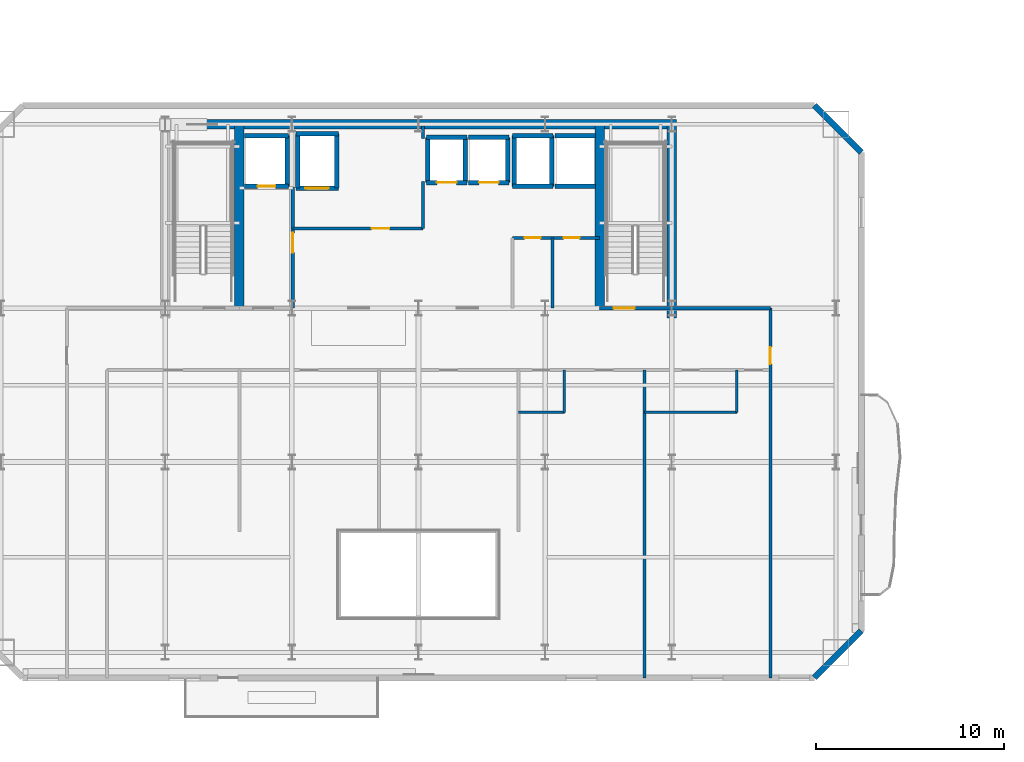
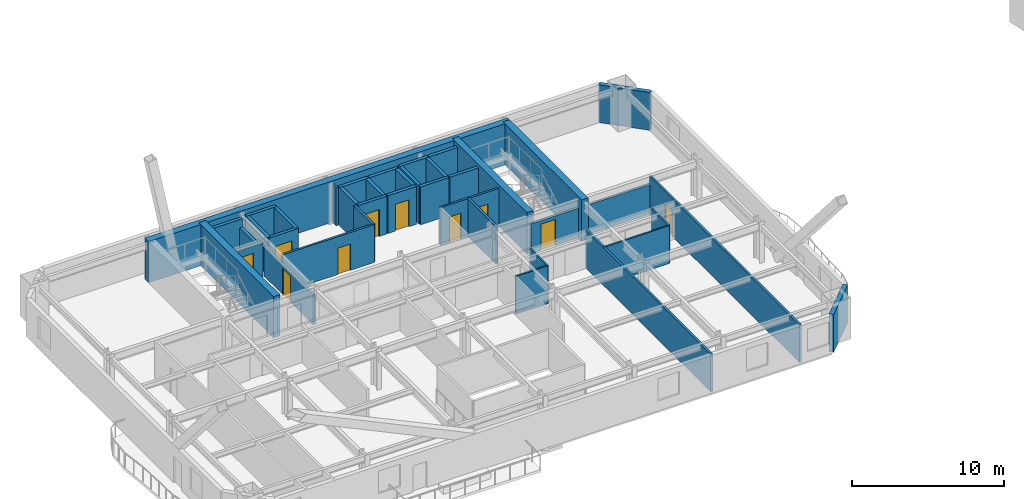
# One storey, part 6 of 15: 40 walls, 10 doors, 10 openings.
"""IFC4 building model written with IfcOpenShell, lengths in metres."""

import ifcopenshell
import ifcopenshell.guid

model = None  # the IFC model being written
_history = None  # IfcOwnerHistory: only IFC2X3 demands one
_inside = {}  # id of a spatial element -> (the spatial element, [elements in it])
_under = {}  # id of a project, library or spatial element -> (it, [spatial elements below it])
_declared = {}  # id of a project -> (the project, [libraries it declares])
_typed = {}  # id of a type object -> (the type object, [elements of that type])
_made_of = {}  # id of a material, layer set ... -> (it, [elements and type objects made of it])


def new_model(schema):
    """Start an empty IFC model of exactly this schema.

    Asked for "IFC4X3", IfcOpenShell would pick the latest addendum, in which some entities
    have other attributes; the version numbers below select the first issue.
    IFC2X3 requires an IfcOwnerHistory on every rooted entity: one is made here for all.
    """
    global model, _history
    if schema == "IFC4X3":
        model = ifcopenshell.file(schema_version=(4, 3, 0, 0))
    else:
        model = ifcopenshell.file(schema=schema)
    _inside.clear()
    _under.clear()
    _declared.clear()
    _typed.clear()
    _made_of.clear()
    _history = None
    if model.schema == "IFC2X3":
        org = make("IfcOrganization", Name="unknown")
        user = make(
            "IfcPersonAndOrganization",
            ThePerson=make("IfcPerson", FamilyName="unknown"),
            TheOrganization=org,
        )
        app = make(
            "IfcApplication",
            ApplicationDeveloper=org,
            Version="unknown",
            ApplicationFullName="unknown",
            ApplicationIdentifier="unknown",
        )
        _history = make(
            "IfcOwnerHistory",
            OwningUser=user,
            OwningApplication=app,
            ChangeAction="ADDED",
            CreationDate=0,
        )
    return model


def make(cls, **values):
    """One entity of the class cls with the attributes given. An attribute that is None is left unset."""
    return model.create_entity(
        cls, **{name: value for name, value in values.items() if value is not None}
    )


def rooted(cls, **values):
    """An entity with a GlobalId (a new one), such as an element, a storey or a relation."""
    return make(cls, GlobalId=ifcopenshell.guid.new(), OwnerHistory=_history, **values)


def si_unit(unit_type, name, prefix=None):
    """IfcSIUnit, for example si_unit("LENGTHUNIT", "METRE", prefix="MILLI")."""
    return make("IfcSIUnit", UnitType=unit_type, Prefix=prefix, Name=name)


def assignment(units):
    """IfcUnitAssignment: the units of a project."""
    return None if units is None else make("IfcUnitAssignment", Units=units)


def point(xyz):
    """IfcCartesianPoint."""
    return None if xyz is None else make("IfcCartesianPoint", Coordinates=xyz)


def direction(xyz):
    """IfcDirection."""
    return None if xyz is None else make("IfcDirection", DirectionRatios=xyz)


def frame(location, z_axis=None, x_axis=None):
    """IfcAxis2Placement3D, a coordinate frame: its origin and axes. An axis left out is left unset."""
    return make(
        "IfcAxis2Placement3D",
        Location=point(location),
        Axis=direction(z_axis),
        RefDirection=direction(x_axis),
    )


def frame_2d(location, x_axis=None):
    """IfcAxis2Placement2D, a coordinate frame in the plane: its origin and x axis."""
    return make(
        "IfcAxis2Placement2D", Location=point(location), RefDirection=direction(x_axis)
    )


def origin():
    """The frame at (0, 0, 0) with its axes left unset."""
    return frame((0.0, 0.0, 0.0))


def place(relative_to, where):
    """IfcLocalPlacement: puts the frame where relative to a parent placement (None: the world)."""
    return make(
        "IfcLocalPlacement", PlacementRelTo=relative_to, RelativePlacement=where
    )


def context(
    kind, dimensions, precision=None, world=None, true_north=None, identifier=None
):
    """IfcGeometricRepresentationContext, for example the 3D "Model" context."""
    return make(
        "IfcGeometricRepresentationContext",
        ContextIdentifier=identifier,
        ContextType=kind,
        CoordinateSpaceDimension=dimensions,
        Precision=precision,
        WorldCoordinateSystem=world,
        TrueNorth=true_north,
    )


def subcontext(parent, identifier, kind, view, scale=None):
    """IfcGeometricRepresentationSubContext, for example "Body" below "Model"."""
    return make(
        "IfcGeometricRepresentationSubContext",
        ContextIdentifier=identifier,
        ContextType=kind,
        ParentContext=parent,
        TargetScale=scale,
        TargetView=view,
    )


def project(units=None, contexts=None):
    """IfcProject with its units and contexts."""
    return rooted(
        "IfcProject",
        Name="project",
        RepresentationContexts=contexts,
        UnitsInContext=assignment(units),
    )


def spatial(cls, under=None, at=None, **own):
    """A site, building, storey or space (cls), placed at a placement, below another one or the project."""
    s = rooted(cls, ObjectPlacement=at, **own)
    if under is not None:
        _under.setdefault(under.id(), (under, []))[1].append(s)
    return s


def profile(cls, at=None, kind="AREA", **sizes):
    """A parametric profile (cls). Its sizes go by their IFC names, for example OverallWidth=200.0."""
    return make(cls, ProfileType=kind, Position=at, **sizes)


def rectangle(**sizes):
    """IfcRectangleProfileDef."""
    return profile("IfcRectangleProfileDef", **sizes)


def extrude(swept, where, along, depth):
    """IfcExtrudedAreaSolid: the profile swept, set in the frame where, extruded along a direction by depth."""
    return make(
        "IfcExtrudedAreaSolid",
        SweptArea=swept,
        Position=where,
        ExtrudedDirection=direction(along),
        Depth=depth,
    )


def shape(context_of_items, identifier, shape_type, items):
    """IfcShapeRepresentation: the items that make up one representation, for example the "Body"."""
    return make(
        "IfcShapeRepresentation",
        ContextOfItems=context_of_items,
        RepresentationIdentifier=identifier,
        RepresentationType=shape_type,
        Items=items,
    )


def material(Name=None, Category=None):
    """IfcMaterial."""
    return make("IfcMaterial", Name=Name, Category=Category)


def layer(
    of_material, thickness, ventilated=None, Name=None, Category=None, Priority=None
):
    """IfcMaterialLayer: one layer of a wall or slab, of a material (None: an air gap)."""
    return make(
        "IfcMaterialLayer",
        Material=of_material,
        LayerThickness=thickness,
        IsVentilated=ventilated,
        Name=Name,
        Category=Category,
        Priority=Priority,
    )


def layer_set(layers, Name=None):
    """IfcMaterialLayerSet."""
    return make("IfcMaterialLayerSet", MaterialLayers=layers, LayerSetName=Name)


def made_of(thing, what):
    """Note that an element or type object is made of a material, layer set ...; save() writes the relation."""
    if what is not None:
        _made_of.setdefault(what.id(), (what, []))[1].append(thing)
    return thing


def type_object(cls, material=None, **own):
    """A type object (cls), such as IfcWallType, which elements share."""
    return made_of(rooted(cls, **own), material)


def element(
    cls,
    number,
    at=None,
    inside=None,
    cuts=None,
    type_object=None,
    material=None,
    context=None,
    identifier="Body",
    shape_type=None,
    held_by="IfcProductDefinitionShape",
    body=None,
    shapes=None,
    **own,
):
    """One element of the class cls, such as IfcWall. Its Tag is "e" and its number.

    at: its placement. inside: the storey or other place that contains it. cuts: it is an
    opening in that element (IfcRelVoidsElement). A single representation is given by context,
    identifier, shape_type and body (its items); several are given by shapes. held_by: the class
    of the entity that holds the representations. save() writes the other relations.
    """
    e = rooted(cls, Tag="e%d" % number, ObjectPlacement=at, **own)
    if body is not None:
        shapes = [shape(context, identifier, shape_type, body)]
    if shapes is not None:
        e.Representation = make(held_by, Representations=shapes)
    if inside is not None:
        _inside.setdefault(inside.id(), (inside, []))[1].append(e)
    if cuts is not None:
        rooted(
            "IfcRelVoidsElement", RelatingBuildingElement=cuts, RelatedOpeningElement=e
        )
    if type_object is not None:
        _typed.setdefault(type_object.id(), (type_object, []))[1].append(e)
    return made_of(e, material)


def fill(opening, filler):
    """IfcRelFillsElement: the door or window that sits in an opening."""
    return rooted(
        "IfcRelFillsElement",
        RelatingOpeningElement=opening,
        RelatedBuildingElement=filler,
    )


def aggregate(whole, parts):
    """IfcRelAggregates: a whole, such as a stair, and the parts it consists of."""
    return rooted("IfcRelAggregates", RelatingObject=whole, RelatedObjects=parts)


def save(model, path):
    """Write the relations noted so far, then the file.

    IfcRelAggregates (storeys below a building ...), IfcRelContainedInSpatialStructure (elements
    in a storey), IfcRelDefinesByType, IfcRelAssociatesMaterial and IfcRelDeclares: one each for
    every whole, place, type object, material and project.
    """
    for whole, parts in _under.values():
        aggregate(whole, parts)
    for where, things in _inside.values():
        rooted(
            "IfcRelContainedInSpatialStructure",
            RelatedElements=things,
            RelatingStructure=where,
        )
    for kind, things in _typed.values():
        rooted("IfcRelDefinesByType", RelatedObjects=things, RelatingType=kind)
    for what, things in _made_of.values():
        rooted("IfcRelAssociatesMaterial", RelatedObjects=things, RelatingMaterial=what)
    for by, libraries in _declared.values():
        rooted("IfcRelDeclares", RelatingContext=by, RelatedDefinitions=libraries)
    model.write(path)


model = new_model("IFC4")

# Units and contexts
model_context = context("Model", 3, precision=1e-05, world=origin(), true_north=direction((0.0, 1.0)))
body_context = subcontext(model_context, "Body", "Model", "MODEL_VIEW")
ifc_project = project(units=[si_unit("LENGTHUNIT", "METRE"), si_unit("AREAUNIT", "SQUARE_METRE"), si_unit("VOLUMEUNIT", "CUBIC_METRE"), si_unit("PLANEANGLEUNIT", "RADIAN"), si_unit("MASSUNIT", "GRAM", prefix="KILO")], contexts=[model_context])

# Site, building, storey
site_placement = place(None, origin())
site = spatial("IfcSite", under=ifc_project, at=site_placement, CompositionType="ELEMENT")
building_placement = place(site_placement, origin())
building = spatial("IfcBuilding", under=site, at=building_placement, Name="Haevon Station Towers", CompositionType="ELEMENT")
storey_placement = place(building_placement, frame((0.0, 0.0, 103.199951171875)))
storey = spatial("IfcBuildingStorey", under=building, at=storey_placement, Name="L27", CompositionType="ELEMENT", Elevation=103.199951171875)

# Wall
ifc_material_1 = material(Name="Gypsum board on steel stud", Category="steel")
ifc_layer_1 = layer(ifc_material_1, 0.179931640625)
ifc_layer_set_1 = layer_set([ifc_layer_1], Name="Gypsum board on steel stud")
wall_type_1 = type_object("IfcWallType", Name="WL-ACU180", PredefinedType="PARTITIONING", material=ifc_layer_set_1)
wall_1_placement = place(storey_placement, frame((51.0, 38.199951171875, 0.0), z_axis=(0.0, 0.0, 1.0), x_axis=(1.0, 0.0, 0.0)))
element("IfcWall", 1, at=wall_1_placement, inside=storey, type_object=wall_type_1, Name="WL-T1PT-L27-03", PredefinedType="PARTITIONING", context=body_context, shape_type="SweptSolid", body=[
    extrude(rectangle(XDim=5.25, YDim=0.179931640625, at=frame_2d((2.625, 0.0))), origin(), (0.0, 0.0, 1.0), 2.380126953125),
])

# Wall, opening, door
ifc_layer_2 = layer(ifc_material_1, 0.199951171875)
ifc_layer_set_2 = layer_set([ifc_layer_2], Name="Gypsum board on steel stud")
wall_type_2 = type_object("IfcWallType", Name="WL-COR200", PredefinedType="PARTITIONING", material=ifc_layer_set_2)
wall_2_placement = place(storey_placement, frame((47.14990234375, 38.199951171875, 0.0), z_axis=(0.0, 0.0, 1.0), x_axis=(1.0, 0.0, 0.0)))
wall_2 = element("IfcWall", 2, at=wall_2_placement, inside=storey, type_object=wall_type_2, Name="WL-ST-ST2-L27", PredefinedType="PARTITIONING", context=body_context, shape_type="SweptSolid", body=[
    extrude(rectangle(XDim=3.85009765625, YDim=0.199951171875, at=frame_2d((1.925048828125, 0.0))), origin(), (0.0, 0.0, 1.0), 2.380126953125),
])
opening_1_placement = place(wall_2_placement, frame((0.75, 0.0, 0.0)))
opening_1 = element("IfcOpeningElement", 3, at=opening_1_placement, cuts=wall_2, Name="Opening DR-ST-ST2-L27", PredefinedType="OPENING", context=body_context, shape_type="SweptSolid", body=[
    extrude(rectangle(XDim=1.1201171875, YDim=2.10009765625, at=frame_2d((0.56005859375, 1.050048828125))), frame((0.0, 0.10986328125, 0.0), z_axis=(0.0, -1.0, 0.0), x_axis=(1.0, 0.0, 0.0)), (0.0, 0.0, 1.0), 0.219970703125),
])
ifc_material_2 = material(Name="Engineered oak timber", Category="wood")
door_type_1 = type_object("IfcDoorType", Name="DR-ST-1120", OperationType="NOTDEFINED", PredefinedType="DOOR", material=ifc_material_2)
door_1_placement = place(opening_1_placement, origin())
door_1 = element("IfcDoor", 4, at=door_1_placement, inside=storey, type_object=door_type_1, Name="L27 Escape Stair ST2 Fire Door", OperationType="SINGLE_SWING_LEFT", OverallHeight=2.10009765625, OverallWidth=1.1201171875, PredefinedType="DOOR", context=body_context, shape_type="SweptSolid", body=[
    extrude(rectangle(XDim=1.1201171875, YDim=2.10009765625, at=frame_2d((0.56005859375, 1.050048828125))), frame((0.0, 0.02490234375, 0.0), z_axis=(0.0, -1.0, 0.0), x_axis=(1.0, 0.0, 0.0)), (0.0, 0.0, 1.0), 0.050048828125),
])
fill(opening_1, door_1)

wall_3_placement = place(storey_placement, frame((30.800048828125, 38.199951171875, 0.0), z_axis=(0.0, 0.0, 1.0), x_axis=(0.0, 1.0, 0.0)))
wall_3 = element("IfcWall", 5, at=wall_3_placement, inside=storey, type_object=wall_type_2, Name="WL-T1FFL-L27-E", PredefinedType="PARTITIONING", context=body_context, shape_type="SweptSolid", body=[
    extrude(rectangle(XDim=6.449951171875, YDim=0.199951171875, at=frame_2d((3.22509765625, 0.0))), origin(), (0.0, 0.0, 1.0), 2.380126953125),
])
opening_2_placement = place(wall_3_placement, frame((2.9599609375, 0.0, 0.0)))
opening_2 = element("IfcOpeningElement", 6, at=opening_2_placement, cuts=wall_3, Name="Opening DR-T1FFL-L27-E", PredefinedType="OPENING", context=body_context, shape_type="SweptSolid", body=[
    extrude(rectangle(XDim=1.050048828125, YDim=2.10009765625, at=frame_2d((0.52490234375, 1.050048828125))), frame((0.0, 0.10986328125, 0.0), z_axis=(0.0, -1.0, 0.0), x_axis=(1.0, 0.0, 0.0)), (0.0, 0.0, 1.0), 0.219970703125),
])
door_type_2 = type_object("IfcDoorType", Name="DR-FD60-1050", OperationType="NOTDEFINED", PredefinedType="DOOR", material=ifc_material_2)
door_2_placement = place(opening_2_placement, origin())
door_2 = element("IfcDoor", 7, at=door_2_placement, inside=storey, type_object=door_type_2, Name="L27 Tower 1 Firefighting Lift Lobby Door E", OperationType="SINGLE_SWING_RIGHT", OverallHeight=2.10009765625, OverallWidth=1.050048828125, PredefinedType="DOOR", context=body_context, shape_type="SweptSolid", body=[
    extrude(rectangle(XDim=1.050048828125, YDim=2.10009765625, at=frame_2d((0.52490234375, 1.050048828125))), frame((0.0, 0.02490234375, 0.0), z_axis=(0.0, -1.0, 0.0), x_axis=(1.0, 0.0, 0.0)), (0.0, 0.0, 1.0), 0.050048828125),
])
fill(opening_2, door_2)

# Walls
ifc_material_3 = material(Name="Concrete C60/75", Category="concrete")
ifc_layer_3 = layer(ifc_material_3, 0.5)
ifc_layer_set_3 = layer_set([ifc_layer_3], Name="Concrete C60/75")
wall_type_3 = type_object("IfcWallType", Name="WL-CR500", PredefinedType="SHEAR", material=ifc_layer_set_3)
wall_4_placement = place(storey_placement, frame((23.75, 48.0, 0.0), z_axis=(0.0, 0.0, 1.0), x_axis=(1.0, 0.0, 0.0)))
element("IfcWall", 8, at=wall_4_placement, inside=storey, type_object=wall_type_3, Name="WL-T1CR-L27-N", PredefinedType="SHEAR", context=body_context, shape_type="SweptSolid", body=[
    extrude(rectangle(XDim=27.5, YDim=0.5, at=frame_2d((13.75, 0.0))), origin(), (0.0, 0.0, 1.0), 3.300048828125),
])
wall_5_placement = place(storey_placement, frame((51.0, 37.679931640625, 0.0), z_axis=(0.0, 0.0, 1.0), x_axis=(0.0, 1.0, 0.0)))
element("IfcWall", 9, at=wall_5_placement, inside=storey, type_object=wall_type_3, Name="WL-T1CR-L27-E", PredefinedType="SHEAR", context=body_context, shape_type="SweptSolid", body=[
    extrude(rectangle(XDim=10.320068359375, YDim=0.5, at=frame_2d((5.16015625, 0.0))), origin(), (0.0, 0.0, 1.0), 3.300048828125),
])
for number, where, z_axis, x_axis, name in (
    (10, (27.949951171875, 38.199951171875, 0.0), (0.0, 0.0, 1.0), (0.0, 1.0, 0.0), "WL-T1CR-L27-M1"),
    (11, (47.14990234375, 38.199951171875, 0.0), (0.0, 0.0, 1.0), (0.0, 1.0, 0.0), "WL-T1CR-L27-M2"),
):
    element("IfcWall", number, at=place(storey_placement, frame(where, z_axis=z_axis, x_axis=x_axis)), inside=storey, type_object=wall_type_3, Name=name, PredefinedType="SHEAR", context=body_context, shape_type="SweptSolid", body=[
        extrude(rectangle(XDim=9.800048828125, YDim=0.5, at=frame_2d((4.89990234375, 0.0))), origin(), (0.0, 0.0, 1.0), 3.300048828125),
    ])
ifc_material_4 = material(Name="Precast concrete C45/55", Category="concrete")
ifc_layer_4 = layer(ifc_material_4, 0.320068359375)
ifc_layer_set_4 = layer_set([ifc_layer_4], Name="Precast concrete C45/55")
wall_type_4 = type_object("IfcWallType", Name="WL-EXT-PIER320", PredefinedType="SOLIDWALL", material=ifc_layer_set_4)
for number, where, z_axis, x_axis, name in (
    (12, (58.60009765625, 49.0, 0.0), (0.0, 0.0, 1.0), (0.707106781187, -0.707106781187, 0.0), "WL-T1-L27-NEC"),
    (13, (61.10009765625, 21.0, 0.0), (0.0, 0.0, 1.0), (-0.707106781187, -0.707106781187, 0.0), "WL-T1-L27-SEC"),
):
    element("IfcWall", number, at=place(storey_placement, frame(where, z_axis=z_axis, x_axis=x_axis)), inside=storey, type_object=wall_type_4, Name=name, PredefinedType="SOLIDWALL", context=body_context, shape_type="SweptSolid", body=[
        extrude(rectangle(XDim=3.53564453125, YDim=0.320068359375, at=frame_2d((1.767822265625, 0.0))), origin(), (0.0, 0.0, 1.0), 3.030029296875),
    ])
ifc_layer_5 = layer(ifc_material_1, 0.125)
ifc_layer_set_5 = layer_set([ifc_layer_5], Name="Gypsum board on steel stud")
wall_type_5 = type_object("IfcWallType", Name="WL-PRT125", PredefinedType="PARTITIONING", material=ifc_layer_set_5)
wall_6_placement = place(storey_placement, frame((42.81689453125, 32.64990234375, 0.0), z_axis=(0.0, 0.0, 1.0), x_axis=(1.0, 0.0, 0.0)))
element("IfcWall", 14, at=wall_6_placement, inside=storey, type_object=wall_type_5, Name="WL-T1PT-L27-15", PredefinedType="PARTITIONING", context=body_context, shape_type="SweptSolid", body=[
    extrude(rectangle(XDim=2.4501953125, YDim=0.125, at=frame_2d((1.22509765625, 0.0))), origin(), (0.0, 0.0, 1.0), 3.030029296875),
])
wall_7_placement = place(storey_placement, frame((45.26708984375, 32.64990234375, 0.0), z_axis=(0.0, 0.0, 1.0), x_axis=(0.0, 1.0, 0.0)))
element("IfcWall", 15, at=wall_7_placement, inside=storey, type_object=wall_type_5, Name="WL-T1PT-L27-16", PredefinedType="PARTITIONING", context=body_context, shape_type="SweptSolid", body=[
    extrude(rectangle(XDim=2.25, YDim=0.125, at=frame_2d((1.125, 0.0))), origin(), (0.0, 0.0, 1.0), 3.030029296875),
])
wall_8_placement = place(storey_placement, frame((49.533447265625, 32.64990234375, 0.0), z_axis=(0.0, 0.0, 1.0), x_axis=(1.0, 0.0, 0.0)))
element("IfcWall", 16, at=wall_8_placement, inside=storey, type_object=wall_type_5, Name="WL-T1PT-L27-18", PredefinedType="PARTITIONING", context=body_context, shape_type="SweptSolid", body=[
    extrude(rectangle(XDim=4.9365234375, YDim=0.125, at=frame_2d((2.46826171875, 0.0))), origin(), (0.0, 0.0, 1.0), 3.030029296875),
])
wall_9_placement = place(storey_placement, frame((54.469970703125, 32.64990234375, 0.0), z_axis=(0.0, 0.0, 1.0), x_axis=(0.0, 1.0, 0.0)))
element("IfcWall", 17, at=wall_9_placement, inside=storey, type_object=wall_type_5, Name="WL-T1PT-L27-19", PredefinedType="PARTITIONING", context=body_context, shape_type="SweptSolid", body=[
    extrude(rectangle(XDim=2.25, YDim=0.125, at=frame_2d((1.125, 0.0))), origin(), (0.0, 0.0, 1.0), 3.030029296875),
])

# Wall, opening, door
ifc_layer_6 = layer(ifc_material_1, 0.159912109375)
ifc_layer_set_6 = layer_set([ifc_layer_6], Name="Gypsum board on steel stud")
wall_type_6 = type_object("IfcWallType", Name="WL-PRT160", PredefinedType="PARTITIONING", material=ifc_layer_set_6)
wall_10_placement = place(storey_placement, frame((30.800048828125, 42.449951171875, 0.0), z_axis=(0.0, 0.0, 1.0), x_axis=(1.0, 0.0, 0.0)))
wall_10 = element("IfcWall", 18, at=wall_10_placement, inside=storey, type_object=wall_type_6, Name="WL-T1CW-L27-01", PredefinedType="PARTITIONING", context=body_context, shape_type="SweptSolid", body=[
    extrude(rectangle(XDim=6.949951171875, YDim=0.159912109375, at=frame_2d((3.47509765625, 0.0))), origin(), (0.0, 0.0, 1.0), 3.030029296875),
])
opening_3_placement = place(wall_10_placement, frame((4.199951171875, 0.0, 0.0)))
opening_3 = element("IfcOpeningElement", 19, at=opening_3_placement, cuts=wall_10, Name="Opening DR-WL-T1CW-L27-01-1", PredefinedType="OPENING", context=body_context, shape_type="SweptSolid", body=[
    extrude(rectangle(XDim=0.949951171875, YDim=2.10009765625, at=frame_2d((0.47509765625, 1.050048828125))), frame((0.0, 0.08984375, 0.0), z_axis=(0.0, -1.0, 0.0), x_axis=(1.0, 0.0, 0.0)), (0.0, 0.0, 1.0), 0.179931640625),
])
door_type_3 = type_object("IfcDoorType", Name="DR-FD60-950", OperationType="NOTDEFINED", PredefinedType="DOOR", material=ifc_material_2)
door_3_placement = place(opening_3_placement, origin())
door_3 = element("IfcDoor", 20, at=door_3_placement, inside=storey, type_object=door_type_3, Name="L27 Tower 1 Core Room Door 1-1", OperationType="SINGLE_SWING_RIGHT", OverallHeight=2.10009765625, OverallWidth=0.949951171875, PredefinedType="DOOR", context=body_context, shape_type="SweptSolid", body=[
    extrude(rectangle(XDim=0.949951171875, YDim=2.10009765625, at=frame_2d((0.47509765625, 1.050048828125))), frame((0.0, 0.02490234375, 0.0), z_axis=(0.0, -1.0, 0.0), x_axis=(1.0, 0.0, 0.0)), (0.0, 0.0, 1.0), 0.050048828125),
])
fill(opening_3, door_3)

# Walls
wall_11_placement = place(storey_placement, frame((37.75, 42.449951171875, 0.0), z_axis=(0.0, 0.0, 1.0), x_axis=(0.0, 1.0, 0.0)))
element("IfcWall", 21, at=wall_11_placement, inside=storey, type_object=wall_type_6, Name="WL-T1CW-L27-02", PredefinedType="PARTITIONING", context=body_context, shape_type="SweptSolid", body=[
    extrude(rectangle(XDim=2.5, YDim=0.159912109375, at=frame_2d((1.25, 0.0))), origin(), (0.0, 0.0, 1.0), 3.030029296875),
])
wall_12_placement = place(storey_placement, frame((37.75, 47.25, 0.0), z_axis=(0.0, 0.0, 1.0), x_axis=(0.0, 1.0, 0.0)))
element("IfcWall", 22, at=wall_12_placement, inside=storey, type_object=wall_type_6, Name="WL-T1CW-L27-03", PredefinedType="PARTITIONING", context=body_context, shape_type="SweptSolid", body=[
    extrude(rectangle(XDim=0.64990234375, YDim=0.159912109375, at=frame_2d((0.324951171875, 0.0))), origin(), (0.0, 0.0, 1.0), 3.030029296875),
])
wall_13_placement = place(storey_placement, frame((44.6298828125, 38.199951171875, 0.0), z_axis=(0.0, 0.0, 1.0), x_axis=(0.0, 1.0, 0.0)))
element("IfcWall", 23, at=wall_13_placement, inside=storey, type_object=wall_type_6, Name="WL-T1CW-L27-05", PredefinedType="PARTITIONING", context=body_context, shape_type="SweptSolid", body=[
    extrude(rectangle(XDim=3.75, YDim=0.159912109375, at=frame_2d((1.875, 0.0))), origin(), (0.0, 0.0, 1.0), 3.030029296875),
])

# Wall, openings, doors
wall_14_placement = place(storey_placement, frame((42.5, 41.949951171875, 0.0), z_axis=(0.0, 0.0, 1.0), x_axis=(1.0, 0.0, 0.0)))
wall_14 = element("IfcWall", 24, at=wall_14_placement, inside=storey, type_object=wall_type_6, Name="WL-T1CW-L27-06", PredefinedType="PARTITIONING", context=body_context, shape_type="SweptSolid", body=[
    extrude(rectangle(XDim=4.64990234375, YDim=0.159912109375, at=frame_2d((2.324951171875, 0.0))), origin(), (0.0, 0.0, 1.0), 3.030029296875),
])
opening_4_placement = place(wall_14_placement, frame((0.659912109375, 0.0, 0.0)))
opening_4 = element("IfcOpeningElement", 25, at=opening_4_placement, cuts=wall_14, Name="Opening DR-WL-T1CW-L27-06-1", PredefinedType="OPENING", context=body_context, shape_type="SweptSolid", body=[
    extrude(rectangle(XDim=0.85009765625, YDim=2.050048828125, at=frame_2d((0.425048828125, 1.02490234375))), frame((0.0, 0.08984375, 0.0), z_axis=(0.0, -1.0, 0.0), x_axis=(1.0, 0.0, 0.0)), (0.0, 0.0, 1.0), 0.179931640625),
])
opening_5_placement = place(wall_14_placement, frame((2.72998046875, 0.0, 0.0)))
opening_5 = element("IfcOpeningElement", 26, at=opening_5_placement, cuts=wall_14, Name="Opening DR-WL-T1CW-L27-06-2", PredefinedType="OPENING", context=body_context, shape_type="SweptSolid", body=[
    extrude(rectangle(XDim=0.85009765625, YDim=2.050048828125, at=frame_2d((0.425048828125, 1.02490234375))), frame((0.0, 0.08984375, 0.0), z_axis=(0.0, -1.0, 0.0), x_axis=(1.0, 0.0, 0.0)), (0.0, 0.0, 1.0), 0.179931640625),
])
door_type_4 = type_object("IfcDoorType", Name="DR-FD30-850", OperationType="NOTDEFINED", PredefinedType="DOOR", material=ifc_material_2)
door_4_placement = place(opening_4_placement, origin())
door_4 = element("IfcDoor", 27, at=door_4_placement, inside=storey, type_object=door_type_4, Name="L27 Tower 1 Core Room Door 6-1", OperationType="SINGLE_SWING_LEFT", OverallHeight=2.050048828125, OverallWidth=0.85009765625, PredefinedType="DOOR", context=body_context, shape_type="SweptSolid", body=[
    extrude(rectangle(XDim=0.85009765625, YDim=2.050048828125, at=frame_2d((0.425048828125, 1.02490234375))), frame((0.0, 0.02490234375, 0.0), z_axis=(0.0, -1.0, 0.0), x_axis=(1.0, 0.0, 0.0)), (0.0, 0.0, 1.0), 0.050048828125),
])
fill(opening_4, door_4)
door_5_placement = place(opening_5_placement, origin())
door_5 = element("IfcDoor", 28, at=door_5_placement, inside=storey, type_object=door_type_4, Name="L27 Tower 1 Core Room Door 6-2", OperationType="SINGLE_SWING_RIGHT", OverallHeight=2.050048828125, OverallWidth=0.85009765625, PredefinedType="DOOR", context=body_context, shape_type="SweptSolid", body=[
    extrude(rectangle(XDim=0.85009765625, YDim=2.050048828125, at=frame_2d((0.425048828125, 1.02490234375))), frame((0.0, 0.02490234375, 0.0), z_axis=(0.0, -1.0, 0.0), x_axis=(1.0, 0.0, 0.0)), (0.0, 0.0, 1.0), 0.050048828125),
])
fill(opening_5, door_5)

# Wall, opening, door
wall_15_placement = place(storey_placement, frame((56.25, 18.5, 0.0), z_axis=(0.0, 0.0, 1.0), x_axis=(0.0, 1.0, 0.0)))
wall_15 = element("IfcWall", 29, at=wall_15_placement, inside=storey, type_object=wall_type_6, Name="WL-T1PT-L27-05", PredefinedType="PARTITIONING", context=body_context, shape_type="SweptSolid", body=[
    extrude(rectangle(XDim=19.699951171875, YDim=0.159912109375, at=frame_2d((9.85009765625, 0.0))), origin(), (0.0, 0.0, 1.0), 3.030029296875),
])
opening_6_placement = place(wall_15_placement, frame((16.719970703125, 0.0, 0.0)))
opening_6 = element("IfcOpeningElement", 30, at=opening_6_placement, cuts=wall_15, Name="Opening DR-WL-T1PT-L27-05-01", PredefinedType="OPENING", context=body_context, shape_type="SweptSolid", body=[
    extrude(rectangle(XDim=0.89990234375, YDim=2.050048828125, at=frame_2d((0.449951171875, 1.02490234375))), frame((0.0, 0.08984375, 0.0), z_axis=(0.0, -1.0, 0.0), x_axis=(1.0, 0.0, 0.0)), (0.0, 0.0, 1.0), 0.179931640625),
])
door_type_5 = type_object("IfcDoorType", Name="DR-INT-900", OperationType="NOTDEFINED", PredefinedType="DOOR", material=ifc_material_2)
door_6_placement = place(opening_6_placement, origin())
door_6 = element("IfcDoor", 31, at=door_6_placement, inside=storey, type_object=door_type_5, Name="L27 Tower 1 Room Door 5-1", OperationType="SINGLE_SWING_RIGHT", OverallHeight=2.050048828125, OverallWidth=0.89990234375, PredefinedType="DOOR", context=body_context, shape_type="SweptSolid", body=[
    extrude(rectangle(XDim=0.89990234375, YDim=2.050048828125, at=frame_2d((0.449951171875, 1.02490234375))), frame((0.0, 0.02490234375, 0.0), z_axis=(0.0, -1.0, 0.0), x_axis=(1.0, 0.0, 0.0)), (0.0, 0.0, 1.0), 0.050048828125),
])
fill(opening_6, door_6)

# Wall
wall_16_placement = place(storey_placement, frame((49.533447265625, 18.5, 0.0), z_axis=(0.0, 0.0, 1.0), x_axis=(0.0, 1.0, 0.0)))
element("IfcWall", 32, at=wall_16_placement, inside=storey, type_object=wall_type_6, Name="WL-T1PT-L27-17", PredefinedType="PARTITIONING", context=body_context, shape_type="SweptSolid", body=[
    extrude(rectangle(XDim=16.39990234375, YDim=0.159912109375, at=frame_2d((8.199951171875, 0.0))), origin(), (0.0, 0.0, 1.0), 3.030029296875),
])

# Wall, opening, door
ifc_material_5 = material(Name="Concrete C40/50", Category="concrete")
ifc_layer_7 = layer(ifc_material_5, 0.239990234375)
ifc_layer_set_7 = layer_set([ifc_layer_7], Name="Concrete C40/50")
wall_type_7 = type_object("IfcWallType", Name="WL-SHF240", PredefinedType="PARTITIONING", material=ifc_layer_set_7)
wall_17_placement = place(storey_placement, frame((28.219970703125, 44.699951171875, 0.0), z_axis=(0.0, 0.0, 1.0), x_axis=(1.0, 0.0, 0.0)))
wall_17 = element("IfcWall", 33, at=wall_17_placement, inside=storey, type_object=wall_type_7, Name="WL-SHF-FL1-L27", PredefinedType="PARTITIONING", context=body_context, shape_type="SweptSolid", body=[
    extrude(rectangle(XDim=2.360107421875, YDim=0.239990234375, at=frame_2d((1.18017578125, 0.0))), origin(), (0.0, 0.0, 1.0), 2.72998046875),
])
opening_7_placement = place(wall_17_placement, frame((0.705078125, 0.0, 0.0)))
opening_7 = element("IfcOpeningElement", 34, at=opening_7_placement, cuts=wall_17, Name="Opening LD-FL1-L27", PredefinedType="OPENING", context=body_context, shape_type="SweptSolid", body=[
    extrude(rectangle(XDim=0.949951171875, YDim=2.14990234375, at=frame_2d((0.47509765625, 1.074951171875))), frame((0.0, 0.1298828125, 0.0), z_axis=(0.0, -1.0, 0.0), x_axis=(1.0, 0.0, 0.0)), (0.0, 0.0, 1.0), 0.260009765625),
])
ifc_material_6 = material(Name="Stainless steel and rated core", Category="steel")
door_type_6 = type_object("IfcDoorType", Name="LD-FL950", OperationType="SLIDING_TO_LEFT", PredefinedType="DOOR", material=ifc_material_6)
door_7_placement = place(opening_7_placement, origin())
door_7 = element("IfcDoor", 35, at=door_7_placement, inside=storey, type_object=door_type_6, Name="L27 Lift FL1 Sliding Landing Door", OperationType="SLIDING_TO_LEFT", OverallHeight=2.14990234375, OverallWidth=0.949951171875, PredefinedType="DOOR", context=body_context, shape_type="SweptSolid", body=[
    extrude(rectangle(XDim=0.949951171875, YDim=2.14990234375, at=frame_2d((0.47509765625, 1.074951171875))), frame((0.0, 0.02490234375, 0.0), z_axis=(0.0, -1.0, 0.0), x_axis=(1.0, 0.0, 0.0)), (0.0, 0.0, 1.0), 0.050048828125),
])
fill(opening_7, door_7)

# Walls
wall_18_placement = place(storey_placement, frame((28.219970703125, 47.39990234375, 0.0), z_axis=(0.0, 0.0, 1.0), x_axis=(1.0, 0.0, 0.0)))
element("IfcWall", 36, at=wall_18_placement, inside=storey, type_object=wall_type_7, Name="WL-SHF-FL1-L27-N", PredefinedType="PARTITIONING", context=body_context, shape_type="SweptSolid", body=[
    extrude(rectangle(XDim=2.360107421875, YDim=0.239990234375, at=frame_2d((1.18017578125, 0.0))), origin(), (0.0, 0.0, 1.0), 3.030029296875),
])
wall_19_placement = place(storey_placement, frame((30.5, 44.699951171875, 0.0), z_axis=(0.0, 0.0, 1.0), x_axis=(0.0, 1.0, 0.0)))
element("IfcWall", 37, at=wall_19_placement, inside=storey, type_object=wall_type_7, Name="WL-SHF-FL1-L27-E", PredefinedType="PARTITIONING", context=body_context, shape_type="SweptSolid", body=[
    extrude(rectangle(XDim=2.699951171875, YDim=0.239990234375, at=frame_2d((1.35009765625, 0.0))), origin(), (0.0, 0.0, 1.0), 2.380126953125),
])

# Wall, opening, door
wall_20_placement = place(storey_placement, frame((30.969970703125, 44.60009765625, 0.0), z_axis=(0.0, 0.0, 1.0), x_axis=(1.0, 0.0, 0.0)))
wall_20 = element("IfcWall", 38, at=wall_20_placement, inside=storey, type_object=wall_type_7, Name="WL-SHF-SL1-L27", PredefinedType="PARTITIONING", context=body_context, shape_type="SweptSolid", body=[
    extrude(rectangle(XDim=2.260009765625, YDim=0.239990234375, at=frame_2d((1.1298828125, 0.0))), origin(), (0.0, 0.0, 1.0), 3.030029296875),
])
opening_8_placement = place(wall_20_placement, frame((0.5048828125, 0.0, 0.0)))
opening_8 = element("IfcOpeningElement", 39, at=opening_8_placement, cuts=wall_20, Name="Opening LD-SL1-L27", PredefinedType="OPENING", context=body_context, shape_type="SweptSolid", body=[
    extrude(rectangle(XDim=1.25, YDim=2.199951171875, at=frame_2d((0.625, 1.10009765625))), frame((0.0, 0.1298828125, 0.0), z_axis=(0.0, -1.0, 0.0), x_axis=(1.0, 0.0, 0.0)), (0.0, 0.0, 1.0), 0.260009765625),
])
door_type_7 = type_object("IfcDoorType", Name="LD-SL1250", OperationType="SLIDING_TO_LEFT", PredefinedType="DOOR", material=ifc_material_6)
door_8_placement = place(opening_8_placement, origin())
door_8 = element("IfcDoor", 40, at=door_8_placement, inside=storey, type_object=door_type_7, Name="L27 Lift SL1 Sliding Landing Door", OperationType="SLIDING_TO_LEFT", OverallHeight=2.199951171875, OverallWidth=1.25, PredefinedType="DOOR", context=body_context, shape_type="SweptSolid", body=[
    extrude(rectangle(XDim=1.25, YDim=2.199951171875, at=frame_2d((0.625, 1.10009765625))), frame((0.0, 0.02490234375, 0.0), z_axis=(0.0, -1.0, 0.0), x_axis=(1.0, 0.0, 0.0)), (0.0, 0.0, 1.0), 0.050048828125),
])
fill(opening_8, door_8)

# Walls
wall_21_placement = place(storey_placement, frame((30.969970703125, 47.5, 0.0), z_axis=(0.0, 0.0, 1.0), x_axis=(1.0, 0.0, 0.0)))
element("IfcWall", 41, at=wall_21_placement, inside=storey, type_object=wall_type_7, Name="WL-SHF-SL1-L27-N", PredefinedType="PARTITIONING", context=body_context, shape_type="SweptSolid", body=[
    extrude(rectangle(XDim=2.260009765625, YDim=0.239990234375, at=frame_2d((1.1298828125, 0.0))), origin(), (0.0, 0.0, 1.0), 3.030029296875),
])
for number, where, z_axis, x_axis, name in (
    (42, (31.050048828125, 44.60009765625, 0.0), (0.0, 0.0, 1.0), (0.0, 1.0, 0.0), "WL-SHF-SL1-L27-W"),
    (43, (33.14990234375, 44.60009765625, 0.0), (0.0, 0.0, 1.0), (0.0, 1.0, 0.0), "WL-SHF-SL1-L27-E"),
):
    element("IfcWall", number, at=place(storey_placement, frame(where, z_axis=z_axis, x_axis=x_axis)), inside=storey, type_object=wall_type_7, Name=name, PredefinedType="PARTITIONING", context=body_context, shape_type="SweptSolid", body=[
        extrude(rectangle(XDim=2.89990234375, YDim=0.239990234375, at=frame_2d((1.449951171875, 0.0))), origin(), (0.0, 0.0, 1.0), 3.030029296875),
    ])

# Wall, opening, door
wall_22_placement = place(storey_placement, frame((37.919921875, 44.89990234375, 0.0), z_axis=(0.0, 0.0, 1.0), x_axis=(1.0, 0.0, 0.0)))
wall_22 = element("IfcWall", 44, at=wall_22_placement, inside=storey, type_object=wall_type_7, Name="WL-SHF-PL3-L27", PredefinedType="PARTITIONING", context=body_context, shape_type="SweptSolid", body=[
    extrude(rectangle(XDim=2.16015625, YDim=0.239990234375, at=frame_2d((1.080078125, 0.0))), origin(), (0.0, 0.0, 1.0), 3.030029296875),
])
opening_9_placement = place(wall_22_placement, frame((0.554931640625, 0.0, 0.0)))
opening_9 = element("IfcOpeningElement", 45, at=opening_9_placement, cuts=wall_22, Name="Opening LD-PL3-L27", PredefinedType="OPENING", context=body_context, shape_type="SweptSolid", body=[
    extrude(rectangle(XDim=1.050048828125, YDim=2.14990234375, at=frame_2d((0.52490234375, 1.074951171875))), frame((0.0, 0.1298828125, 0.0), z_axis=(0.0, -1.0, 0.0), x_axis=(1.0, 0.0, 0.0)), (0.0, 0.0, 1.0), 0.260009765625),
])
door_type_8 = type_object("IfcDoorType", Name="LD-PL1050", OperationType="SLIDING_TO_LEFT", PredefinedType="DOOR", material=ifc_material_6)
door_9_placement = place(opening_9_placement, origin())
door_9 = element("IfcDoor", 46, at=door_9_placement, inside=storey, type_object=door_type_8, Name="L27 Lift PL3 Sliding Landing Door", OperationType="SLIDING_TO_LEFT", OverallHeight=2.14990234375, OverallWidth=1.050048828125, PredefinedType="DOOR", context=body_context, shape_type="SweptSolid", body=[
    extrude(rectangle(XDim=1.050048828125, YDim=2.14990234375, at=frame_2d((0.52490234375, 1.074951171875))), frame((0.0, 0.02490234375, 0.0), z_axis=(0.0, -1.0, 0.0), x_axis=(1.0, 0.0, 0.0)), (0.0, 0.0, 1.0), 0.050048828125),
])
fill(opening_9, door_9)

# Walls
wall_23_placement = place(storey_placement, frame((37.919921875, 47.300048828125, 0.0), z_axis=(0.0, 0.0, 1.0), x_axis=(1.0, 0.0, 0.0)))
element("IfcWall", 47, at=wall_23_placement, inside=storey, type_object=wall_type_7, Name="WL-SHF-PL3-L27-N", PredefinedType="PARTITIONING", context=body_context, shape_type="SweptSolid", body=[
    extrude(rectangle(XDim=2.16015625, YDim=0.239990234375, at=frame_2d((1.080078125, 0.0))), origin(), (0.0, 0.0, 1.0), 3.030029296875),
])
for number, where, z_axis, x_axis, name in (
    (48, (38.0, 44.89990234375, 0.0), (0.0, 0.0, 1.0), (0.0, 1.0, 0.0), "WL-SHF-PL3-L27-W"),
    (49, (40.0, 44.89990234375, 0.0), (0.0, 0.0, 1.0), (0.0, 1.0, 0.0), "WL-SHF-PL3-L27-E"),
):
    element("IfcWall", number, at=place(storey_placement, frame(where, z_axis=z_axis, x_axis=x_axis)), inside=storey, type_object=wall_type_7, Name=name, PredefinedType="PARTITIONING", context=body_context, shape_type="SweptSolid", body=[
        extrude(rectangle(XDim=2.400146484375, YDim=0.239990234375, at=frame_2d((1.2001953125, 0.0))), origin(), (0.0, 0.0, 1.0), 3.030029296875),
    ])

# Wall, opening, door
wall_24_placement = place(storey_placement, frame((40.169921875, 44.89990234375, 0.0), z_axis=(0.0, 0.0, 1.0), x_axis=(1.0, 0.0, 0.0)))
wall_24 = element("IfcWall", 50, at=wall_24_placement, inside=storey, type_object=wall_type_7, Name="WL-SHF-PL4-L27", PredefinedType="PARTITIONING", context=body_context, shape_type="SweptSolid", body=[
    extrude(rectangle(XDim=2.16015625, YDim=0.239990234375, at=frame_2d((1.080078125, 0.0))), origin(), (0.0, 0.0, 1.0), 3.030029296875),
])
opening_10_placement = place(wall_24_placement, frame((0.554931640625, 0.0, 0.0)))
opening_10 = element("IfcOpeningElement", 51, at=opening_10_placement, cuts=wall_24, Name="Opening LD-PL4-L27", PredefinedType="OPENING", context=body_context, shape_type="SweptSolid", body=[
    extrude(rectangle(XDim=1.050048828125, YDim=2.14990234375, at=frame_2d((0.52490234375, 1.074951171875))), frame((0.0, 0.1298828125, 0.0), z_axis=(0.0, -1.0, 0.0), x_axis=(1.0, 0.0, 0.0)), (0.0, 0.0, 1.0), 0.260009765625),
])
door_10_placement = place(opening_10_placement, origin())
door_10 = element("IfcDoor", 52, at=door_10_placement, inside=storey, type_object=door_type_8, Name="L27 Lift PL4 Sliding Landing Door", OperationType="SLIDING_TO_LEFT", OverallHeight=2.14990234375, OverallWidth=1.050048828125, PredefinedType="DOOR", context=body_context, shape_type="SweptSolid", body=[
    extrude(rectangle(XDim=1.050048828125, YDim=2.14990234375, at=frame_2d((0.52490234375, 1.074951171875))), frame((0.0, 0.02490234375, 0.0), z_axis=(0.0, -1.0, 0.0), x_axis=(1.0, 0.0, 0.0)), (0.0, 0.0, 1.0), 0.050048828125),
])
fill(opening_10, door_10)

# Walls
wall_25_placement = place(storey_placement, frame((40.169921875, 47.300048828125, 0.0), z_axis=(0.0, 0.0, 1.0), x_axis=(1.0, 0.0, 0.0)))
element("IfcWall", 53, at=wall_25_placement, inside=storey, type_object=wall_type_7, Name="WL-SHF-PL4-L27-N", PredefinedType="PARTITIONING", context=body_context, shape_type="SweptSolid", body=[
    extrude(rectangle(XDim=2.16015625, YDim=0.239990234375, at=frame_2d((1.080078125, 0.0))), origin(), (0.0, 0.0, 1.0), 3.030029296875),
])
wall_26_placement = place(storey_placement, frame((42.25, 44.89990234375, 0.0), z_axis=(0.0, 0.0, 1.0), x_axis=(0.0, 1.0, 0.0)))
element("IfcWall", 54, at=wall_26_placement, inside=storey, type_object=wall_type_7, Name="WL-SHF-PL4-L27-E", PredefinedType="PARTITIONING", context=body_context, shape_type="SweptSolid", body=[
    extrude(rectangle(XDim=2.400146484375, YDim=0.239990234375, at=frame_2d((1.2001953125, 0.0))), origin(), (0.0, 0.0, 1.0), 3.030029296875),
])
for number, where, z_axis, x_axis, name in (
    (55, (42.52001953125, 44.699951171875, 0.0), (0.0, 0.0, 1.0), (1.0, 0.0, 0.0), "WL-SHF-PL5-L27"),
    (56, (42.52001953125, 47.39990234375, 0.0), (0.0, 0.0, 1.0), (1.0, 0.0, 0.0), "WL-SHF-PL5-L27-N"),
):
    element("IfcWall", number, at=place(storey_placement, frame(where, z_axis=z_axis, x_axis=x_axis)), inside=storey, type_object=wall_type_7, Name=name, PredefinedType="PARTITIONING", context=body_context, shape_type="SweptSolid", body=[
        extrude(rectangle(XDim=2.159912109375, YDim=0.239990234375, at=frame_2d((1.080078125, 0.0))), origin(), (0.0, 0.0, 1.0), 3.030029296875),
    ])
for number, where, z_axis, x_axis, name in (
    (57, (42.60009765625, 44.699951171875, 0.0), (0.0, 0.0, 1.0), (0.0, 1.0, 0.0), "WL-SHF-PL5-L27-W"),
    (58, (44.60009765625, 44.699951171875, 0.0), (0.0, 0.0, 1.0), (0.0, 1.0, 0.0), "WL-SHF-PL5-L27-E"),
):
    element("IfcWall", number, at=place(storey_placement, frame(where, z_axis=z_axis, x_axis=x_axis)), inside=storey, type_object=wall_type_7, Name=name, PredefinedType="PARTITIONING", context=body_context, shape_type="SweptSolid", body=[
        extrude(rectangle(XDim=2.699951171875, YDim=0.239990234375, at=frame_2d((1.35009765625, 0.0))), origin(), (0.0, 0.0, 1.0), 3.030029296875),
    ])
for number, where, z_axis, x_axis, name in (
    (59, (44.77001953125, 44.699951171875, 0.0), (0.0, 0.0, 1.0), (1.0, 0.0, 0.0), "WL-SHF-PL6-L27"),
    (60, (44.77001953125, 47.39990234375, 0.0), (0.0, 0.0, 1.0), (1.0, 0.0, 0.0), "WL-SHF-PL6-L27-N"),
):
    element("IfcWall", number, at=place(storey_placement, frame(where, z_axis=z_axis, x_axis=x_axis)), inside=storey, type_object=wall_type_7, Name=name, PredefinedType="PARTITIONING", context=body_context, shape_type="SweptSolid", body=[
        extrude(rectangle(XDim=2.159912109375, YDim=0.239990234375, at=frame_2d((1.080078125, 0.0))), origin(), (0.0, 0.0, 1.0), 3.030029296875),
    ])

save(model, "model.ifc")
